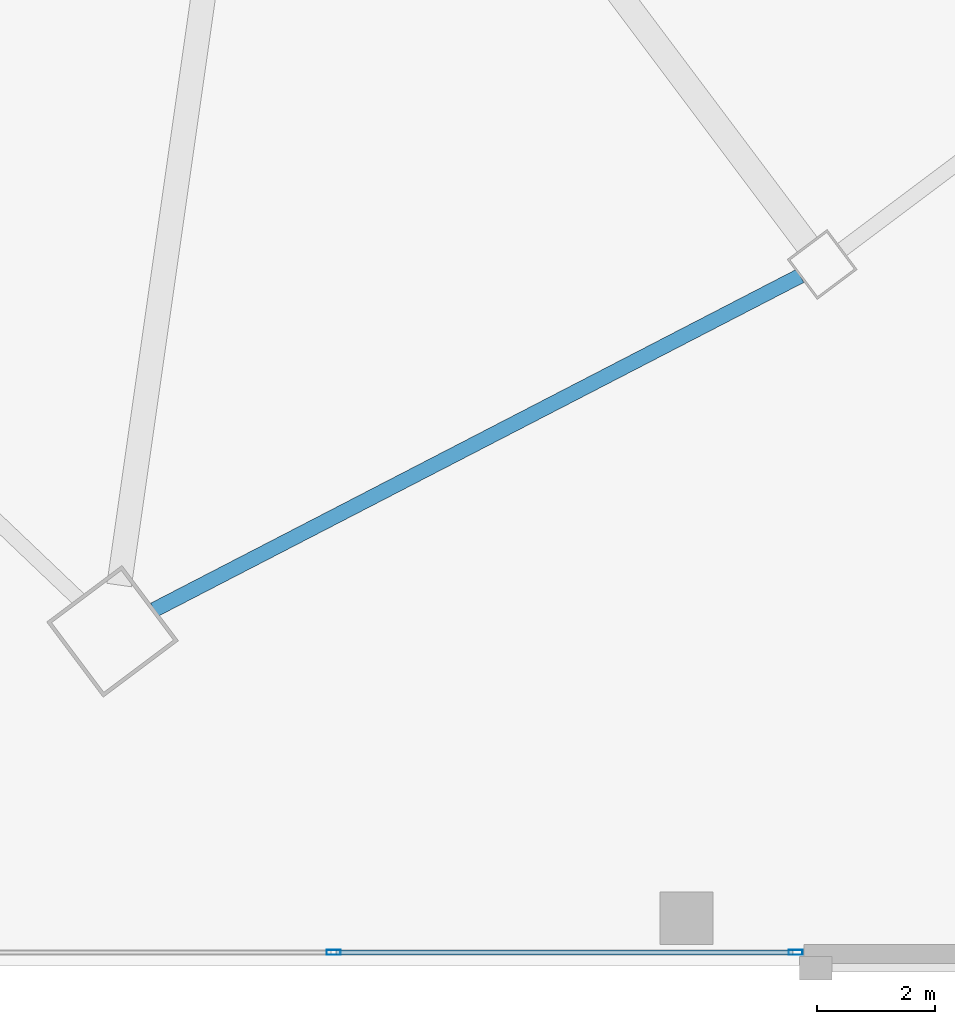
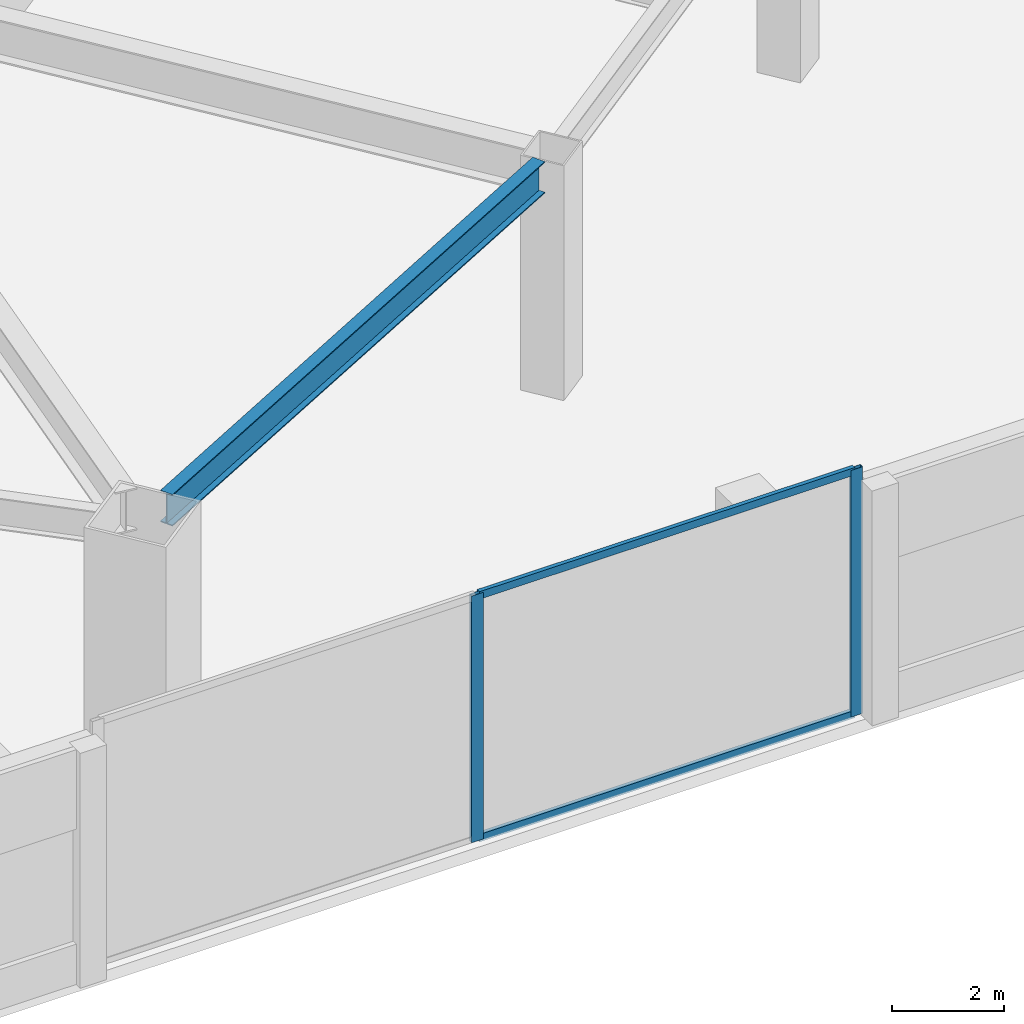
# One storey, part 20 of 48: 4 members, 1 beam, 1 element without a shape of its own.
"""IFC4 building model written with IfcOpenShell, lengths in metres."""

from ifc_helpers import new_model, si_unit, direction, frame, origin, origin_2d, place, context, subcontext, project, spatial, hollow_rectangle, i_section, extrude, material, material_profile, profile_set, type_object, element, aggregate, save


model = new_model("IFC4")

# Units and contexts
model_context = context("Model", 3, precision=1e-05, world=origin(), true_north=direction((0.0, 1.0)))
body_context = subcontext(model_context, "Body", "Model", "MODEL_VIEW")
ifc_project = project(units=[si_unit("LENGTHUNIT", "METRE"), si_unit("AREAUNIT", "SQUARE_METRE"), si_unit("VOLUMEUNIT", "CUBIC_METRE"), si_unit("PLANEANGLEUNIT", "RADIAN"), si_unit("MASSUNIT", "GRAM", prefix="KILO")], contexts=[model_context])

# Site, building, storey
site_placement = place(None, origin())
site = spatial("IfcSite", under=ifc_project, at=site_placement, CompositionType="ELEMENT")
building_placement = place(site_placement, origin())
building = spatial("IfcBuilding", under=site, at=building_placement, Name="Tashvorn Skyway Center", CompositionType="ELEMENT")
storey_placement = place(building_placement, frame((0.0, 0.0, 10.199951171875)))
storey = spatial("IfcBuildingStorey", under=building, at=storey_placement, Name="L02", CompositionType="ELEMENT", Elevation=10.199951171875)

# Beam
ifc_material_1 = material(Name="Steel ASTM A992 Grade 50", Category="steel")
ifc_material_profile_1 = material_profile(ifc_material_1, i_section(OverallWidth=0.256103515625, OverallDepth=0.693115234375, WebThickness=0.014404296875, FlangeThickness=0.023681640625, at=origin_2d()), Name="W27X114")
ifc_profile_set_1 = profile_set([ifc_material_profile_1], Name="Steel ASTM A992 Grade 50")
beam_type = type_object("IfcBeamType", Name="BM-SPANDREL-W27X114", PredefinedType="SPANDREL", material=ifc_profile_set_1)
beam_placement = place(storey_placement, frame((110.9462890625, 6.045166015625, 4.79345703125), z_axis=(0.888315637339, 0.459233413919, 0.0), x_axis=(-0.459233413919, 0.888315637339, 0.0)))
element("IfcBeam", 1, at=beam_placement, inside=storey, type_object=beam_type, Name="Tower 2 L02 Spandrel Beam 01", PredefinedType="SPANDREL", context=body_context, shape_type="SweptSolid", body=[
    extrude(i_section(OverallWidth=0.256103515625, OverallDepth=0.693115234375, WebThickness=0.014404296875, FlangeThickness=0.023681640625, at=origin_2d()), origin(), (0.0, 0.0, 1.0), 12.37255859375),
])

# Curtain wall, members
ifc_material_2 = material(Name="Thermally broken bronze-anodized aluminium 6063-T6", Category="aluminium")
curtain_wall_type = type_object("IfcCurtainWallType", Name="CW-CW-Z1", PredefinedType="NOTDEFINED", material=ifc_material_2)
curtain_wall_placement = place(storey_placement, origin())
curtain_wall = element("IfcCurtainWall", 2, at=curtain_wall_placement, inside=storey, type_object=curtain_wall_type, Name="L02 South Station Arcade Curtain Wall 1", PredefinedType="NOTDEFINED")
ifc_material_profile_2 = material_profile(ifc_material_2, hollow_rectangle(XDim=0.0849609375, YDim=0.239990234375, WallThickness=0.0048828125, at=origin_2d()), Name="ALU-MULL-85x240")
ifc_profile_set_2 = profile_set([ifc_material_profile_2], Name="Thermally broken bronze-anodized aluminium 6063-T6")
member_type_1 = type_object("IfcMemberType", Name="CWM-CW-Z1", PredefinedType="MULLION", material=ifc_profile_set_2)
member_1_placement = place(storey_placement, frame((121.857421875, 0.219970703125, 0.0), z_axis=(0.0, 0.0, 1.0), x_axis=(0.0, -1.0, 0.0)))
member_1 = element("IfcMember", 3, at=member_1_placement, type_object=member_type_1, Name="CW-Z1 mullion 1", PredefinedType="MULLION", context=body_context, shape_type="SweptSolid", body=[
    extrude(hollow_rectangle(XDim=0.0849609375, YDim=0.239990234375, WallThickness=0.0048828125, at=origin_2d()), origin(), (0.0, 0.0, 1.0), 5.400146484375),
])
member_2_placement = place(storey_placement, frame((114.0, 0.219970703125, 0.0), z_axis=(0.0, 0.0, 1.0), x_axis=(0.0, -1.0, 0.0)))
member_2 = element("IfcMember", 4, at=member_2_placement, type_object=member_type_1, Name="CW-Z1 mullion 2", PredefinedType="MULLION", context=body_context, shape_type="SweptSolid", body=[
    extrude(hollow_rectangle(XDim=0.0849609375, YDim=0.239990234375, WallThickness=0.0048828125, at=origin_2d()), origin(), (0.0, 0.0, 1.0), 5.400146484375),
])
ifc_material_profile_3 = material_profile(ifc_material_2, hollow_rectangle(XDim=0.0849609375, YDim=0.1650390625, WallThickness=0.0048828125, at=origin_2d()), Name="ALU-TRAN-85x165")
ifc_profile_set_3 = profile_set([ifc_material_profile_3], Name="Thermally broken bronze-anodized aluminium 6063-T6")
member_type_2 = type_object("IfcMemberType", Name="CWT-CW-Z1", PredefinedType="USERDEFINED", material=ifc_profile_set_3)
member_3_placement = place(storey_placement, frame((121.81494140625, 0.219970703125, 0.04248046875), z_axis=(-1.0, 0.0, 0.0), x_axis=(0.0, -1.0, 0.0)))
member_3 = element("IfcMember", 5, at=member_3_placement, type_object=member_type_2, Name="CW-Z1 transom 1.1", ObjectType="TRANSOM", PredefinedType="USERDEFINED", context=body_context, shape_type="SweptSolid", body=[
    extrude(hollow_rectangle(XDim=0.0849609375, YDim=0.1650390625, WallThickness=0.0048828125, at=origin_2d()), origin(), (0.0, 0.0, 1.0), 7.7724609375),
])
member_4_placement = place(storey_placement, frame((121.81494140625, 0.219970703125, 5.357666015625), z_axis=(-1.0, 0.0, 0.0), x_axis=(0.0, -1.0, 0.0)))
member_4 = element("IfcMember", 6, at=member_4_placement, type_object=member_type_2, Name="CW-Z1 transom 1.2", ObjectType="TRANSOM", PredefinedType="USERDEFINED", context=body_context, shape_type="SweptSolid", body=[
    extrude(hollow_rectangle(XDim=0.0849609375, YDim=0.1650390625, WallThickness=0.0048828125, at=origin_2d()), origin(), (0.0, 0.0, 1.0), 7.7724609375),
])
aggregate(curtain_wall, [member_1, member_2, member_3, member_4])

save(model, "model.ifc")
